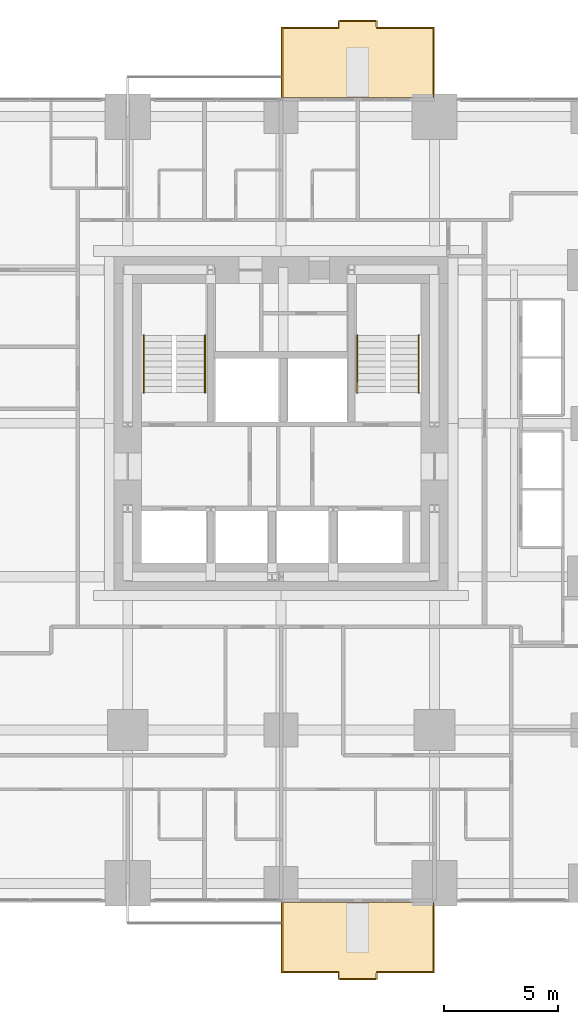
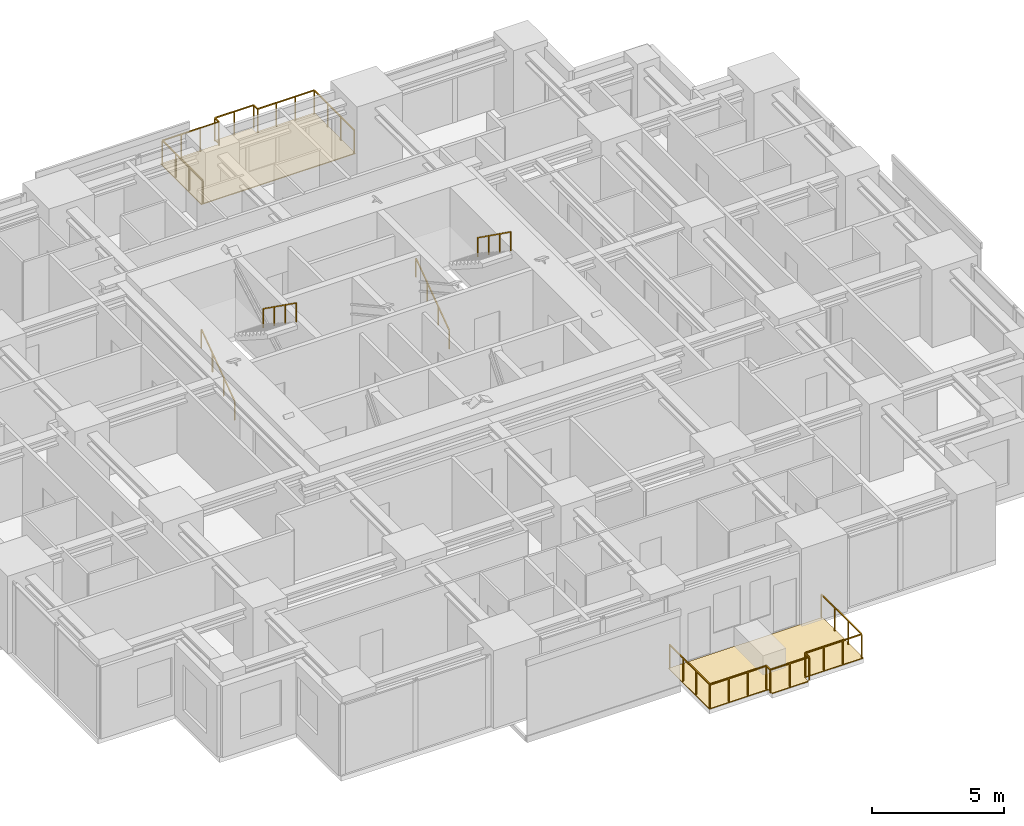
# One storey, part 12 of 12: 6 railings, 2 coverings.
"""IFC4 building model written with IfcOpenShell, lengths in metres."""

from ifc_helpers import new_model, si_unit, direction, frame, origin, origin_2d, place, context, subcontext, project, spatial, polyline, rectangle, outline, extrude, material, layer, layer_set, type_object, element, save


model = new_model("IFC4")

# Units and contexts
model_context = context("Model", 3, precision=1e-05, world=origin(), true_north=direction((0.0, 1.0)))
body_context = subcontext(model_context, "Body", "Model", "MODEL_VIEW")
ifc_project = project(units=[si_unit("LENGTHUNIT", "METRE"), si_unit("AREAUNIT", "SQUARE_METRE"), si_unit("VOLUMEUNIT", "CUBIC_METRE"), si_unit("PLANEANGLEUNIT", "RADIAN"), si_unit("MASSUNIT", "GRAM", prefix="KILO")], contexts=[model_context])

# Site, building, storey
site_placement = place(None, origin())
site = spatial("IfcSite", under=ifc_project, at=site_placement, CompositionType="ELEMENT")
building_placement = place(site_placement, origin())
building = spatial("IfcBuilding", under=site, at=building_placement, Name="Nyansa Garden Tower", CompositionType="ELEMENT")
storey_placement = place(building_placement, frame((0.0, 0.0, 134.10009765625)))
storey = spatial("IfcBuildingStorey", under=building, at=storey_placement, Name="L36", CompositionType="ELEMENT", Elevation=134.10009765625)

# Coverings
ifc_material_1 = material(Name="Hardwood decking on pedestals", Category="wood")
ifc_layer = layer(ifc_material_1, 0.0400390625)
ifc_layer_set = layer_set([ifc_layer], Name="Balcony decking DK40")
covering_type = type_object("IfcCoveringType", Name="Balcony decking DK40", PredefinedType="FLOORING", material=ifc_layer_set)
covering_1_placement = place(storey_placement, frame((0.0, 0.0, -0.0400390625)))
element("IfcCovering", 1, at=covering_1_placement, inside=storey, type_object=covering_type, Name="Balcony decking L36", PredefinedType="FLOORING", context=body_context, shape_type="SweptSolid", body=[
    extrude(outline(polyline([(20.25, -0.85009765625), (27.0, -0.85009765625), (27.0, -3.949951171875), (24.425048828125, -3.949951171875), (24.425048828125, -4.25), (22.824951171875, -4.25), (22.824951171875, -3.949951171875), (20.25, -3.949951171875), (20.25, -0.85009765625)])), origin(), (0.0, 0.0, 1.0), 0.0400390625),
])
covering_2_placement = place(storey_placement, frame((0.0, 0.0, -0.0400390625)))
element("IfcCovering", 2, at=covering_2_placement, inside=storey, type_object=covering_type, Name="Balcony decking L36", PredefinedType="FLOORING", context=body_context, shape_type="SweptSolid", body=[
    extrude(outline(polyline([(20.25, 34.60009765625), (27.0, 34.60009765625), (27.0, 37.699951171875), (24.425048828125, 37.699951171875), (24.425048828125, 38.0), (22.824951171875, 38.0), (22.824951171875, 37.699951171875), (20.25, 37.699951171875), (20.25, 34.60009765625)])), origin(), (0.0, 0.0, 1.0), 0.0400390625),
])

# Railings
ifc_material_2 = material(Name="Black powder-coated steel balusters, laminated glass infill", Category="steel")
railing_type_1 = type_object("IfcRailingType", Name="Balcony guard G1", PredefinedType="GUARDRAIL", material=ifc_material_2)
railing_1_placement = place(storey_placement, frame((20.300048828125, -0.85009765625, 0.0)))
element("IfcRailing", 3, at=railing_1_placement, inside=storey, type_object=railing_type_1, Name="Balcony guard L36", PredefinedType="GUARDRAIL", context=body_context, shape_type="SweptSolid", body=[
    extrude(rectangle(XDim=0.048095703125, YDim=0.048095703125, at=origin_2d()), frame((0.0, 0.0, 1.076171875), z_axis=(0.0, -1.0, 0.0), x_axis=(1.0, 0.0, 0.0)), (0.0, 0.0, 1.0), 3.0498046875),
    extrude(rectangle(XDim=0.048095703125, YDim=0.048095703125, at=origin_2d()), frame((0.0, -3.0498046875, 1.076171875), z_axis=(1.0, 0.0, 0.0), x_axis=(0.0, 1.0, 0.0)), (0.0, 0.0, 1.0), 2.474853515625),
    extrude(rectangle(XDim=0.048095703125, YDim=0.048095703125, at=origin_2d()), frame((2.474853515625, -3.0498046875, 1.076171875), z_axis=(0.0, -1.0, 0.0), x_axis=(1.0, 0.0, 0.0)), (0.0, 0.0, 1.0), 0.300048828125),
    extrude(rectangle(XDim=0.048095703125, YDim=0.048095703125, at=origin_2d()), frame((2.474853515625, -3.349853515625, 1.076171875), z_axis=(1.0, 0.0, 0.0), x_axis=(0.0, 1.0, 0.0)), (0.0, 0.0, 1.0), 1.7001953125),
    extrude(rectangle(XDim=0.048095703125, YDim=0.048095703125, at=origin_2d()), frame((4.175048828125, -3.349853515625, 1.076171875), z_axis=(0.0, 1.0, 0.0), x_axis=(-1.0, 0.0, 0.0)), (0.0, 0.0, 1.0), 0.300048828125),
    extrude(rectangle(XDim=0.048095703125, YDim=0.048095703125, at=origin_2d()), frame((4.175048828125, -3.0498046875, 1.076171875), z_axis=(1.0, 0.0, 0.0), x_axis=(0.0, 1.0, 0.0)), (0.0, 0.0, 1.0), 2.474853515625),
    extrude(rectangle(XDim=0.048095703125, YDim=0.048095703125, at=origin_2d()), frame((6.64990234375, -3.0498046875, 1.076171875), z_axis=(0.0, 1.0, 0.0), x_axis=(-1.0, 0.0, 0.0)), (0.0, 0.0, 1.0), 3.0498046875),
    extrude(rectangle(XDim=0.0419921875, YDim=0.0419921875, at=origin_2d()), origin(), (0.0, 0.0, 1.0), 1.052001953125),
    extrude(rectangle(XDim=0.0419921875, YDim=0.0419921875, at=origin_2d()), frame((0.0, -1.0166015625, 0.0)), (0.0, 0.0, 1.0), 1.052001953125),
    extrude(rectangle(XDim=0.0419921875, YDim=0.0419921875, at=origin_2d()), frame((0.0, -2.033203125, 0.0)), (0.0, 0.0, 1.0), 1.052001953125),
    extrude(rectangle(XDim=0.0419921875, YDim=0.0419921875, at=origin_2d()), frame((0.0, -3.0498046875, 0.0)), (0.0, 0.0, 1.0), 1.052001953125),
    extrude(rectangle(XDim=0.0419921875, YDim=0.0419921875, at=origin_2d()), frame((0.824951171875, -3.0498046875, 0.0)), (0.0, 0.0, 1.0), 1.052001953125),
    extrude(rectangle(XDim=0.0419921875, YDim=0.0419921875, at=origin_2d()), frame((1.64990234375, -3.0498046875, 0.0)), (0.0, 0.0, 1.0), 1.052001953125),
    extrude(rectangle(XDim=0.0419921875, YDim=0.0419921875, at=origin_2d()), frame((2.474853515625, -3.0498046875, 0.0)), (0.0, 0.0, 1.0), 1.052001953125),
    extrude(rectangle(XDim=0.0419921875, YDim=0.0419921875, at=origin_2d()), frame((2.474853515625, -3.349853515625, 0.0)), (0.0, 0.0, 1.0), 1.052001953125),
    extrude(rectangle(XDim=0.0419921875, YDim=0.0419921875, at=origin_2d()), frame((3.324951171875, -3.349853515625, 0.0)), (0.0, 0.0, 1.0), 1.052001953125),
    extrude(rectangle(XDim=0.0419921875, YDim=0.0419921875, at=origin_2d()), frame((4.175048828125, -3.349853515625, 0.0)), (0.0, 0.0, 1.0), 1.052001953125),
    extrude(rectangle(XDim=0.0419921875, YDim=0.0419921875, at=origin_2d()), frame((4.175048828125, -3.0498046875, 0.0)), (0.0, 0.0, 1.0), 1.052001953125),
    extrude(rectangle(XDim=0.0419921875, YDim=0.0419921875, at=origin_2d()), frame((5.0, -3.0498046875, 0.0)), (0.0, 0.0, 1.0), 1.052001953125),
    extrude(rectangle(XDim=0.0419921875, YDim=0.0419921875, at=origin_2d()), frame((5.824951171875, -3.0498046875, 0.0)), (0.0, 0.0, 1.0), 1.052001953125),
    extrude(rectangle(XDim=0.0419921875, YDim=0.0419921875, at=origin_2d()), frame((6.64990234375, -3.0498046875, 0.0)), (0.0, 0.0, 1.0), 1.052001953125),
    extrude(rectangle(XDim=0.0419921875, YDim=0.0419921875, at=origin_2d()), frame((6.64990234375, -2.033203125, 0.0)), (0.0, 0.0, 1.0), 1.052001953125),
    extrude(rectangle(XDim=0.0419921875, YDim=0.0419921875, at=origin_2d()), frame((6.64990234375, -1.0166015625, 0.0)), (0.0, 0.0, 1.0), 1.052001953125),
    extrude(rectangle(XDim=0.0419921875, YDim=0.0419921875, at=origin_2d()), frame((6.64990234375, 0.0, 0.0)), (0.0, 0.0, 1.0), 1.052001953125),
])
railing_2_placement = place(storey_placement, frame((20.300048828125, 34.60009765625, 0.0)))
element("IfcRailing", 4, at=railing_2_placement, inside=storey, type_object=railing_type_1, Name="Balcony guard L36", PredefinedType="GUARDRAIL", context=body_context, shape_type="SweptSolid", body=[
    extrude(rectangle(XDim=0.048095703125, YDim=0.048095703125, at=origin_2d()), frame((0.0, 0.0, 1.076171875), z_axis=(0.0, 1.0, 0.0), x_axis=(-1.0, 0.0, 0.0)), (0.0, 0.0, 1.0), 3.0498046875),
    extrude(rectangle(XDim=0.048095703125, YDim=0.048095703125, at=origin_2d()), frame((0.0, 3.0498046875, 1.076171875), z_axis=(1.0, 0.0, 0.0), x_axis=(0.0, 1.0, 0.0)), (0.0, 0.0, 1.0), 2.474853515625),
    extrude(rectangle(XDim=0.048095703125, YDim=0.048095703125, at=origin_2d()), frame((2.474853515625, 3.0498046875, 1.076171875), z_axis=(0.0, 1.0, 0.0), x_axis=(-1.0, 0.0, 0.0)), (0.0, 0.0, 1.0), 0.300048828125),
    extrude(rectangle(XDim=0.048095703125, YDim=0.048095703125, at=origin_2d()), frame((2.474853515625, 3.349853515625, 1.076171875), z_axis=(1.0, 0.0, 0.0), x_axis=(0.0, 1.0, 0.0)), (0.0, 0.0, 1.0), 1.7001953125),
    extrude(rectangle(XDim=0.048095703125, YDim=0.048095703125, at=origin_2d()), frame((4.175048828125, 3.349853515625, 1.076171875), z_axis=(0.0, -1.0, 0.0), x_axis=(1.0, 0.0, 0.0)), (0.0, 0.0, 1.0), 0.300048828125),
    extrude(rectangle(XDim=0.048095703125, YDim=0.048095703125, at=origin_2d()), frame((4.175048828125, 3.0498046875, 1.076171875), z_axis=(1.0, 0.0, 0.0), x_axis=(0.0, 1.0, 0.0)), (0.0, 0.0, 1.0), 2.474853515625),
    extrude(rectangle(XDim=0.048095703125, YDim=0.048095703125, at=origin_2d()), frame((6.64990234375, 3.0498046875, 1.076171875), z_axis=(0.0, -1.0, 0.0), x_axis=(1.0, 0.0, 0.0)), (0.0, 0.0, 1.0), 3.0498046875),
    extrude(rectangle(XDim=0.0419921875, YDim=0.0419921875, at=origin_2d()), origin(), (0.0, 0.0, 1.0), 1.052001953125),
    extrude(rectangle(XDim=0.0419921875, YDim=0.0419921875, at=origin_2d()), frame((0.0, 1.0166015625, 0.0)), (0.0, 0.0, 1.0), 1.052001953125),
    extrude(rectangle(XDim=0.0419921875, YDim=0.0419921875, at=origin_2d()), frame((0.0, 2.033203125, 0.0)), (0.0, 0.0, 1.0), 1.052001953125),
    extrude(rectangle(XDim=0.0419921875, YDim=0.0419921875, at=origin_2d()), frame((0.0, 3.0498046875, 0.0)), (0.0, 0.0, 1.0), 1.052001953125),
    extrude(rectangle(XDim=0.0419921875, YDim=0.0419921875, at=origin_2d()), frame((0.824951171875, 3.0498046875, 0.0)), (0.0, 0.0, 1.0), 1.052001953125),
    extrude(rectangle(XDim=0.0419921875, YDim=0.0419921875, at=origin_2d()), frame((1.64990234375, 3.0498046875, 0.0)), (0.0, 0.0, 1.0), 1.052001953125),
    extrude(rectangle(XDim=0.0419921875, YDim=0.0419921875, at=origin_2d()), frame((2.474853515625, 3.0498046875, 0.0)), (0.0, 0.0, 1.0), 1.052001953125),
    extrude(rectangle(XDim=0.0419921875, YDim=0.0419921875, at=origin_2d()), frame((2.474853515625, 3.349853515625, 0.0)), (0.0, 0.0, 1.0), 1.052001953125),
    extrude(rectangle(XDim=0.0419921875, YDim=0.0419921875, at=origin_2d()), frame((3.324951171875, 3.349853515625, 0.0)), (0.0, 0.0, 1.0), 1.052001953125),
    extrude(rectangle(XDim=0.0419921875, YDim=0.0419921875, at=origin_2d()), frame((4.175048828125, 3.349853515625, 0.0)), (0.0, 0.0, 1.0), 1.052001953125),
    extrude(rectangle(XDim=0.0419921875, YDim=0.0419921875, at=origin_2d()), frame((4.175048828125, 3.0498046875, 0.0)), (0.0, 0.0, 1.0), 1.052001953125),
    extrude(rectangle(XDim=0.0419921875, YDim=0.0419921875, at=origin_2d()), frame((5.0, 3.0498046875, 0.0)), (0.0, 0.0, 1.0), 1.052001953125),
    extrude(rectangle(XDim=0.0419921875, YDim=0.0419921875, at=origin_2d()), frame((5.824951171875, 3.0498046875, 0.0)), (0.0, 0.0, 1.0), 1.052001953125),
    extrude(rectangle(XDim=0.0419921875, YDim=0.0419921875, at=origin_2d()), frame((6.64990234375, 3.0498046875, 0.0)), (0.0, 0.0, 1.0), 1.052001953125),
    extrude(rectangle(XDim=0.0419921875, YDim=0.0419921875, at=origin_2d()), frame((6.64990234375, 2.033203125, 0.0)), (0.0, 0.0, 1.0), 1.052001953125),
    extrude(rectangle(XDim=0.0419921875, YDim=0.0419921875, at=origin_2d()), frame((6.64990234375, 1.0166015625, 0.0)), (0.0, 0.0, 1.0), 1.052001953125),
    extrude(rectangle(XDim=0.0419921875, YDim=0.0419921875, at=origin_2d()), frame((6.64990234375, 0.0, 0.0)), (0.0, 0.0, 1.0), 1.052001953125),
])
ifc_material_3 = material(Name="Black powder-coated steel tube 48 mm", Category="steel")
railing_type_2 = type_object("IfcRailingType", Name="Stair handrail HR1", PredefinedType="HANDRAIL", material=ifc_material_3)
railing_3_placement = place(storey_placement, frame((14.199951171875, 21.60009765625, 0.0)))
element("IfcRailing", 5, at=railing_3_placement, inside=storey, type_object=railing_type_2, Name="Stair S1 handrail L36", PredefinedType="HANDRAIL", context=body_context, shape_type="SweptSolid", body=[
    extrude(rectangle(XDim=0.048095703125, YDim=0.048095703125, at=origin_2d()), frame((0.0, 0.0, 0.8759765625), z_axis=(0.0, 0.813765431312, 0.581193446971), x_axis=(-1.0, 0.0, 0.0)), (0.0, 0.0, 1.0), 3.0966796875),
    extrude(rectangle(XDim=0.0419921875, YDim=0.0419921875, at=origin_2d()), origin(), (0.0, 0.0, 1.0), 0.851806640625),
    extrude(rectangle(XDim=0.0419921875, YDim=0.0419921875, at=origin_2d()), frame((0.0, 0.840087890625, 0.599853515625)), (0.0, 0.0, 1.0), 0.851806640625),
    extrude(rectangle(XDim=0.0419921875, YDim=0.0419921875, at=origin_2d()), frame((0.0, 1.679931640625, 1.199951171875)), (0.0, 0.0, 1.0), 0.851806640625),
    extrude(rectangle(XDim=0.0419921875, YDim=0.0419921875, at=origin_2d()), frame((0.0, 2.52001953125, 1.7998046875)), (0.0, 0.0, 1.0), 0.851806640625),
])
railing_4_placement = place(storey_placement, frame((16.89990234375, 24.1201171875, 1.7998046875)))
element("IfcRailing", 6, at=railing_4_placement, inside=storey, type_object=railing_type_2, Name="Stair S1 handrail L36", PredefinedType="HANDRAIL", context=body_context, shape_type="SweptSolid", body=[
    extrude(rectangle(XDim=0.048095703125, YDim=0.048095703125, at=origin_2d()), frame((0.0, 0.0, 0.8759765625), z_axis=(0.0, -0.813728144527, 0.581245650998), x_axis=(1.0, 0.0, 0.0)), (0.0, 0.0, 1.0), 3.096923828125),
    extrude(rectangle(XDim=0.0419921875, YDim=0.0419921875, at=origin_2d()), origin(), (0.0, 0.0, 1.0), 0.851806640625),
    extrude(rectangle(XDim=0.0419921875, YDim=0.0419921875, at=origin_2d()), frame((0.0, -0.840087890625, 0.60009765625)), (0.0, 0.0, 1.0), 0.851806640625),
    extrude(rectangle(XDim=0.0419921875, YDim=0.0419921875, at=origin_2d()), frame((0.0, -1.679931640625, 1.199951171875)), (0.0, 0.0, 1.0), 0.851806640625),
    extrude(rectangle(XDim=0.0419921875, YDim=0.0419921875, at=origin_2d()), frame((0.0, -2.52001953125, 1.800048828125)), (0.0, 0.0, 1.0), 0.851806640625),
])
railing_5_placement = place(storey_placement, frame((23.60009765625, 21.60009765625, 0.0)))
element("IfcRailing", 7, at=railing_5_placement, inside=storey, type_object=railing_type_2, Name="Stair S2 handrail L36", PredefinedType="HANDRAIL", context=body_context, shape_type="SweptSolid", body=[
    extrude(rectangle(XDim=0.048095703125, YDim=0.048095703125, at=origin_2d()), frame((0.0, 0.0, 0.8759765625), z_axis=(0.0, 0.813765431312, 0.581193446971), x_axis=(-1.0, 0.0, 0.0)), (0.0, 0.0, 1.0), 3.0966796875),
    extrude(rectangle(XDim=0.0419921875, YDim=0.0419921875, at=origin_2d()), origin(), (0.0, 0.0, 1.0), 0.851806640625),
    extrude(rectangle(XDim=0.0419921875, YDim=0.0419921875, at=origin_2d()), frame((0.0, 0.840087890625, 0.599853515625)), (0.0, 0.0, 1.0), 0.851806640625),
    extrude(rectangle(XDim=0.0419921875, YDim=0.0419921875, at=origin_2d()), frame((0.0, 1.679931640625, 1.199951171875)), (0.0, 0.0, 1.0), 0.851806640625),
    extrude(rectangle(XDim=0.0419921875, YDim=0.0419921875, at=origin_2d()), frame((0.0, 2.52001953125, 1.7998046875)), (0.0, 0.0, 1.0), 0.851806640625),
])
railing_6_placement = place(storey_placement, frame((26.300048828125, 24.1201171875, 1.7998046875)))
element("IfcRailing", 8, at=railing_6_placement, inside=storey, type_object=railing_type_2, Name="Stair S2 handrail L36", PredefinedType="HANDRAIL", context=body_context, shape_type="SweptSolid", body=[
    extrude(rectangle(XDim=0.048095703125, YDim=0.048095703125, at=origin_2d()), frame((0.0, 0.0, 0.8759765625), z_axis=(0.0, -0.813728144527, 0.581245650998), x_axis=(1.0, 0.0, 0.0)), (0.0, 0.0, 1.0), 3.096923828125),
    extrude(rectangle(XDim=0.0419921875, YDim=0.0419921875, at=origin_2d()), origin(), (0.0, 0.0, 1.0), 0.851806640625),
    extrude(rectangle(XDim=0.0419921875, YDim=0.0419921875, at=origin_2d()), frame((0.0, -0.840087890625, 0.60009765625)), (0.0, 0.0, 1.0), 0.851806640625),
    extrude(rectangle(XDim=0.0419921875, YDim=0.0419921875, at=origin_2d()), frame((0.0, -1.679931640625, 1.199951171875)), (0.0, 0.0, 1.0), 0.851806640625),
    extrude(rectangle(XDim=0.0419921875, YDim=0.0419921875, at=origin_2d()), frame((0.0, -2.52001953125, 1.800048828125)), (0.0, 0.0, 1.0), 0.851806640625),
])

save(model, "model.ifc")
